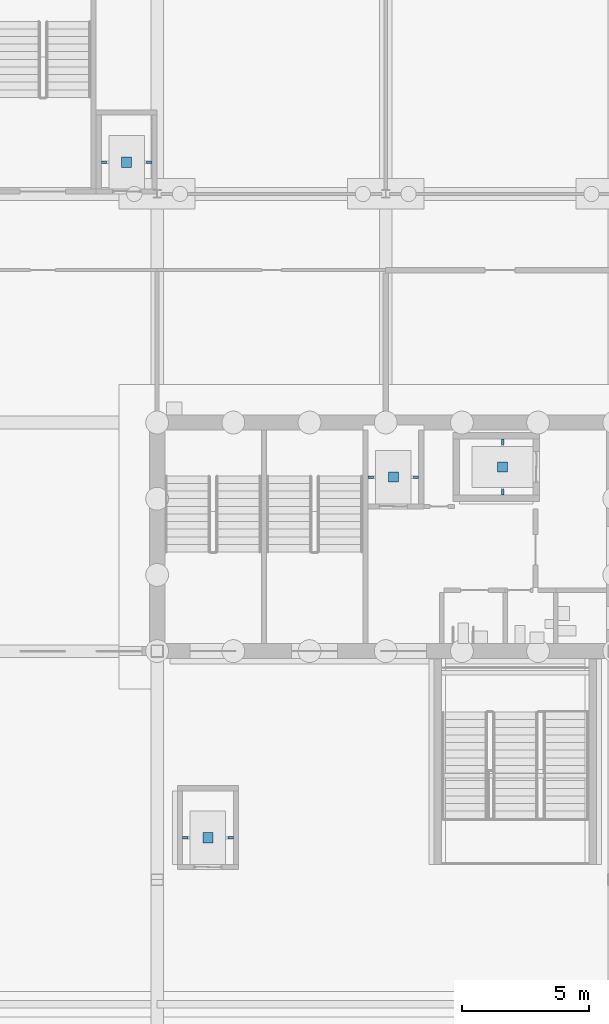
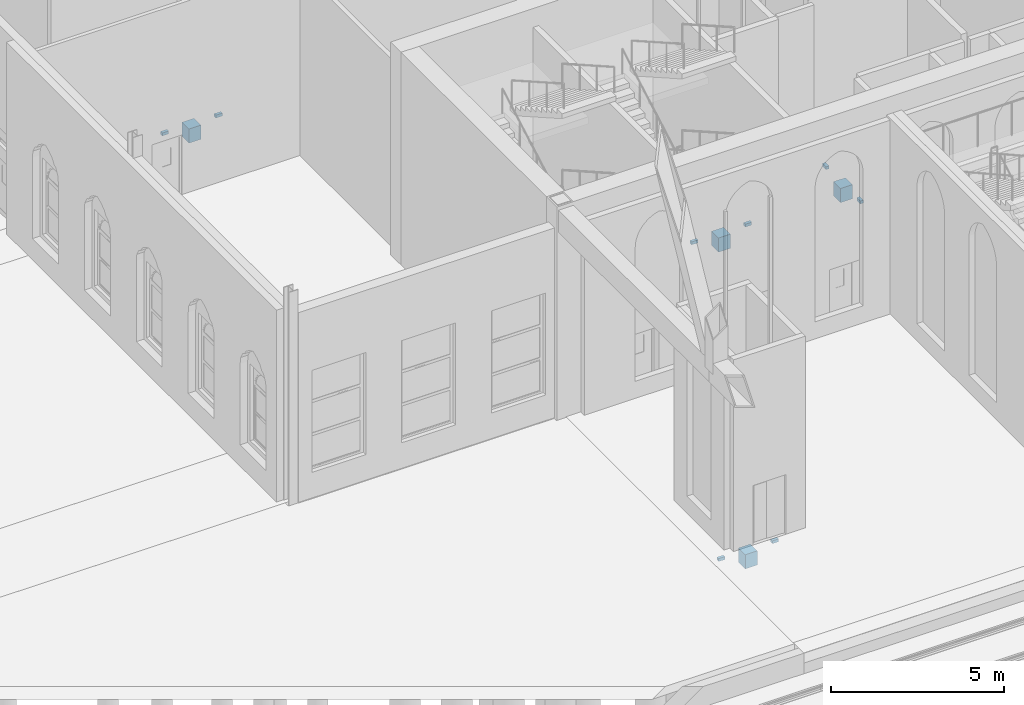
# One storey, part 164 of 250: 12 discrete accessories.
"""IFC4 building model written with IfcOpenShell, lengths in metres."""

from ifc_helpers import new_model, si_unit, direction, frame, origin, origin_2d, place, context, subcontext, project, spatial, rectangle, extrude, material, type_object, element, save


model = new_model("IFC4")

# Units and contexts
model_context = context("Model", 3, precision=1e-05, world=origin(), true_north=direction((0.0, 1.0)))
body_context = subcontext(model_context, "Body", "Model", "MODEL_VIEW")
ifc_project = project(units=[si_unit("LENGTHUNIT", "METRE"), si_unit("AREAUNIT", "SQUARE_METRE"), si_unit("VOLUMEUNIT", "CUBIC_METRE"), si_unit("PLANEANGLEUNIT", "RADIAN"), si_unit("MASSUNIT", "GRAM", prefix="KILO")], contexts=[model_context])

# Site, building, storey
site_placement = place(None, origin())
site = spatial("IfcSite", under=ifc_project, at=site_placement, CompositionType="ELEMENT")
building_placement = place(site_placement, origin())
building = spatial("IfcBuilding", under=site, at=building_placement, Name="Baradari Gate Terminus", CompositionType="ELEMENT")
storey_placement = place(building_placement, origin())
storey = spatial("IfcBuildingStorey", under=building, at=storey_placement, Name="L00", CompositionType="ELEMENT", Elevation=0.0)

# Discrete accessories
ifc_material_1 = material(Name="Steel S355", Category="steel")
discrete_accessory_type_1 = type_object("IfcDiscreteAccessoryType", Name="Lift buffer BF-1 400x400x500", PredefinedType="SHOE", material=ifc_material_1)
for number, where, z_axis, x_axis, name in (
    (1, (81.300048828125, 87.85009765625, -1.60009765625), (0.0, 0.0, 1.0), (1.0, 0.0, 0.0), "Lift buffer LGN1"),
    (2, (85.60009765625, 88.25, -1.60009765625), (0.0, 0.0, 1.0), (1.0, 0.0, 0.0), "Lift buffer LGN2"),
    (3, (70.800048828125, 100.25, -1.60009765625), (0.0, 0.0, 1.0), (1.0, 0.0, 0.0), "Lift buffer LH1"),
    (4, (74.0, 73.64990234375, -1.60009765625), (0.0, 0.0, 1.0), (1.0, 0.0, 0.0), "Lift buffer LP2"),
):
    element("IfcDiscreteAccessory", number, at=place(storey_placement, frame(where, z_axis=z_axis, x_axis=x_axis)), inside=storey, type_object=discrete_accessory_type_1, Name=name, PredefinedType="SHOE", context=body_context, shape_type="SweptSolid", body=[
        extrude(rectangle(XDim=0.39990234375, YDim=0.39990234375, at=origin_2d()), origin(), (0.0, 0.0, 1.0), 0.5),
    ])
ifc_material_2 = material(Name="Steel S355", Category="steel")
discrete_accessory_type_2 = type_object("IfcDiscreteAccessoryType", Name="Lift rail bracket RB-L1 100x100", PredefinedType="BRACKET", material=ifc_material_2)
for number, where, z_axis, x_axis, name in (
    (5, (80.405029296875, 87.85009765625, -1.150146484375), (0.0, 0.0, 1.0), (1.0, 0.0, 0.0), "Lift rail bracket LGN1 1A"),
    (6, (82.195068359375, 87.85009765625, -1.150146484375), (0.0, 0.0, 1.0), (1.0, 0.0, 0.0), "Lift rail bracket LGN1 2A"),
):
    element("IfcDiscreteAccessory", number, at=place(storey_placement, frame(where, z_axis=z_axis, x_axis=x_axis)), inside=storey, type_object=discrete_accessory_type_2, Name=name, PredefinedType="BRACKET", context=body_context, shape_type="SweptSolid", body=[
        extrude(rectangle(XDim=0.2099609375, YDim=0.10009765625, at=origin_2d()), origin(), (0.0, 0.0, 1.0), 0.10009765625),
    ])
for number, where, z_axis, x_axis, name in (
    (7, (85.60009765625, 87.2548828125, -1.150146484375), (0.0, 0.0, 1.0), (1.0, 0.0, 0.0), "Lift rail bracket LGN2 1A"),
    (8, (85.60009765625, 89.2451171875, -1.150146484375), (0.0, 0.0, 1.0), (1.0, 0.0, 0.0), "Lift rail bracket LGN2 2A"),
):
    element("IfcDiscreteAccessory", number, at=place(storey_placement, frame(where, z_axis=z_axis, x_axis=x_axis)), inside=storey, type_object=discrete_accessory_type_2, Name=name, PredefinedType="BRACKET", context=body_context, shape_type="SweptSolid", body=[
        extrude(rectangle(XDim=0.10009765625, YDim=0.2099609375, at=origin_2d()), origin(), (0.0, 0.0, 1.0), 0.10009765625),
    ])
for number, where, z_axis, x_axis, name in (
    (9, (69.905029296875, 100.25, -1.150146484375), (0.0, 0.0, 1.0), (1.0, 0.0, 0.0), "Lift rail bracket LH1 1A"),
    (10, (71.695068359375, 100.25, -1.150146484375), (0.0, 0.0, 1.0), (1.0, 0.0, 0.0), "Lift rail bracket LH1 2A"),
    (11, (73.10498046875, 73.64990234375, -1.150146484375), (0.0, 0.0, 1.0), (1.0, 0.0, 0.0), "Lift rail bracket LP2 1A"),
    (12, (74.89501953125, 73.64990234375, -1.150146484375), (0.0, 0.0, 1.0), (1.0, 0.0, 0.0), "Lift rail bracket LP2 2A"),
):
    element("IfcDiscreteAccessory", number, at=place(storey_placement, frame(where, z_axis=z_axis, x_axis=x_axis)), inside=storey, type_object=discrete_accessory_type_2, Name=name, PredefinedType="BRACKET", context=body_context, shape_type="SweptSolid", body=[
        extrude(rectangle(XDim=0.2099609375, YDim=0.10009765625, at=origin_2d()), origin(), (0.0, 0.0, 1.0), 0.10009765625),
    ])

save(model, "model.ifc")
